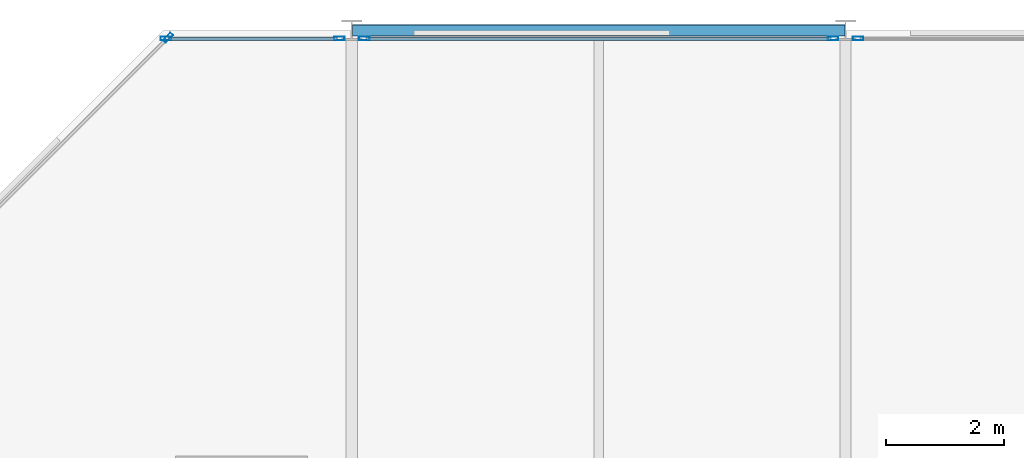
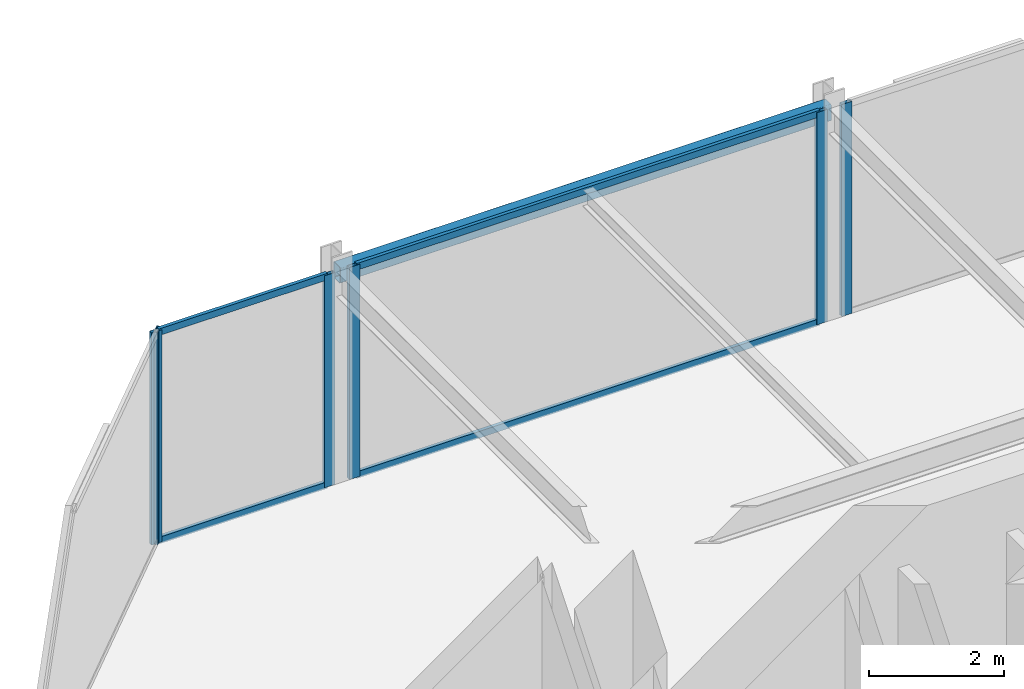
# One storey, part 20 of 29: 10 members, 1 beam, 4 elements without a shape of their own.
"""IFC4 building model written with IfcOpenShell, lengths in metres."""

from ifc_helpers import new_model, si_unit, direction, frame, origin, origin_2d, place, context, subcontext, project, spatial, hollow_rectangle, extrude, material, layer, layer_set, material_profile, profile_set, type_object, element, aggregate, save


model = new_model("IFC4")

# Units and contexts
model_context = context("Model", 3, precision=1e-05, world=origin(), true_north=direction((0.0, 1.0)))
body_context = subcontext(model_context, "Body", "Model", "MODEL_VIEW")
ifc_project = project(units=[si_unit("LENGTHUNIT", "METRE"), si_unit("AREAUNIT", "SQUARE_METRE"), si_unit("VOLUMEUNIT", "CUBIC_METRE"), si_unit("PLANEANGLEUNIT", "RADIAN"), si_unit("MASSUNIT", "GRAM", prefix="KILO")], contexts=[model_context])

# Site, building, storey
site_placement = place(None, origin())
site = spatial("IfcSite", under=ifc_project, at=site_placement, CompositionType="ELEMENT")
building_placement = place(site_placement, origin())
building = spatial("IfcBuilding", under=site, at=building_placement, Name="Nerrivon Quay Data Exchange", CompositionType="ELEMENT")
storey_placement = place(building_placement, frame((0.0, 0.0, 212.39990234375)))
storey = spatial("IfcBuildingStorey", under=building, at=storey_placement, Name="L50", CompositionType="ELEMENT", Elevation=212.39990234375)

# Beam
ifc_material_1 = material(Name="Steel Grade C350L0 (350 MPa)", Category="steel")
ifc_material_profile_1 = material_profile(ifc_material_1, hollow_rectangle(XDim=0.199951171875, YDim=0.300048828125, WallThickness=0.012451171875, InnerFilletRadius=0.018798828125, OuterFilletRadius=0.03125, at=origin_2d()), Name="300x200x12.5RHS")
ifc_profile_set_1 = profile_set([ifc_material_profile_1], Name="Steel Grade C350L0 (350 MPa)")
beam_type = type_object("IfcBeamType", Name="BM-SP3-300x200RHS", PredefinedType="SPANDREL", material=ifc_profile_set_1)
beam_placement = place(storey_placement, frame((8.409912109375, 50.39990234375, 3.675048828125), z_axis=(1.0, 0.0, 0.0), x_axis=(0.0, 1.0, 0.0)))
element("IfcBeam", 1, at=beam_placement, inside=storey, type_object=beam_type, Name="L50 EW Girder Y=50.4 (8.4..16.8)", PredefinedType="SPANDREL", context=body_context, shape_type="SweptSolid", body=[
    extrude(hollow_rectangle(XDim=0.199951171875, YDim=0.300048828125, WallThickness=0.012451171875, InnerFilletRadius=0.018798828125, OuterFilletRadius=0.03125, at=origin_2d()), origin(), (0.0, 0.0, 1.0), 8.380126953125),
])

# Curtain wall, member
ifc_material_2 = material(Name="Anodised aluminium 6063-T6", Category="aluminium")
ifc_layer = layer(ifc_material_2, 0.195068359375)
ifc_layer_set = layer_set([ifc_layer], Name="Anodised aluminium 6063-T6")
curtain_wall_type = type_object("IfcCurtainWallType", Name="CW-SYS-06", PredefinedType="NOTDEFINED", material=ifc_layer_set)
curtain_wall_1_placement = place(storey_placement, origin())
curtain_wall_1 = element("IfcCurtainWall", 2, at=curtain_wall_1_placement, inside=storey, type_object=curtain_wall_type, Name="L50 Unitised Curtain Wall 7", PredefinedType="NOTDEFINED")
ifc_material_profile_2 = material_profile(ifc_material_2, hollow_rectangle(XDim=0.06494140625, YDim=0.179931640625, WallThickness=0.00341796875, at=origin_2d()), Name="ALU-MULL-180x65")
ifc_profile_set_2 = profile_set([ifc_material_profile_2], Name="Anodised aluminium 6063-T6")
member_type_1 = type_object("IfcMemberType", Name="CWM-180x65", PredefinedType="MULLION", material=ifc_profile_set_2)
member_1_placement = place(storey_placement, frame((5.2724609375, 50.2744140625, 0.0), z_axis=(0.0, 0.0, 1.0), x_axis=(-0.707106781187, 0.707106781187, 0.0)))
member_1 = element("IfcMember", 3, at=member_1_placement, type_object=member_type_1, Name="CW06 mullion 2", PredefinedType="MULLION", context=body_context, shape_type="SweptSolid", body=[
    extrude(hollow_rectangle(XDim=0.06494140625, YDim=0.179931640625, WallThickness=0.00341796875, at=origin_2d()), origin(), (0.0, 0.0, 1.0), 3.8251953125),
])
aggregate(curtain_wall_1, [member_1])

# Curtain wall, members
curtain_wall_2_placement = place(storey_placement, origin())
curtain_wall_2 = element("IfcCurtainWall", 4, at=curtain_wall_2_placement, inside=storey, type_object=curtain_wall_type, Name="L50 Unitised Curtain Wall 8", PredefinedType="NOTDEFINED")
member_2_placement = place(storey_placement, frame((5.237548828125, 50.260009765625, 0.0), z_axis=(0.0, 0.0, 1.0), x_axis=(0.0, 1.0, 0.0)))
member_2 = element("IfcMember", 5, at=member_2_placement, type_object=member_type_1, Name="CW06 mullion 1", PredefinedType="MULLION", context=body_context, shape_type="SweptSolid", body=[
    extrude(hollow_rectangle(XDim=0.06494140625, YDim=0.179931640625, WallThickness=0.00341796875, at=origin_2d()), origin(), (0.0, 0.0, 1.0), 3.8251953125),
])
member_3_placement = place(storey_placement, frame((8.1875, 50.260009765625, 0.0), z_axis=(0.0, 0.0, 1.0), x_axis=(0.0, 1.0, 0.0)))
member_3 = element("IfcMember", 6, at=member_3_placement, type_object=member_type_1, Name="CW06 mullion 2", PredefinedType="MULLION", context=body_context, shape_type="SweptSolid", body=[
    extrude(hollow_rectangle(XDim=0.06494140625, YDim=0.179931640625, WallThickness=0.00341796875, at=origin_2d()), origin(), (0.0, 0.0, 1.0), 3.8251953125),
])

curtain_wall_3_placement = place(storey_placement, origin())
curtain_wall_3 = element("IfcCurtainWall", 7, at=curtain_wall_3_placement, inside=storey, type_object=curtain_wall_type, Name="L50 Unitised Curtain Wall 9", PredefinedType="NOTDEFINED")
member_4_placement = place(storey_placement, frame((8.612548828125, 50.260009765625, 0.0), z_axis=(0.0, 0.0, 1.0), x_axis=(0.0, 1.0, 0.0)))
member_4 = element("IfcMember", 8, at=member_4_placement, type_object=member_type_1, Name="CW06 mullion 1", PredefinedType="MULLION", context=body_context, shape_type="SweptSolid", body=[
    extrude(hollow_rectangle(XDim=0.06494140625, YDim=0.179931640625, WallThickness=0.00341796875, at=origin_2d()), origin(), (0.0, 0.0, 1.0), 3.8251953125),
])
member_5_placement = place(storey_placement, frame((16.58740234375, 50.260009765625, 0.0), z_axis=(0.0, 0.0, 1.0), x_axis=(0.0, 1.0, 0.0)))
member_5 = element("IfcMember", 9, at=member_5_placement, type_object=member_type_1, Name="CW06 mullion 2", PredefinedType="MULLION", context=body_context, shape_type="SweptSolid", body=[
    extrude(hollow_rectangle(XDim=0.06494140625, YDim=0.179931640625, WallThickness=0.00341796875, at=origin_2d()), origin(), (0.0, 0.0, 1.0), 3.8251953125),
])

# Curtain wall, member
curtain_wall_4_placement = place(storey_placement, origin())
curtain_wall_4 = element("IfcCurtainWall", 10, at=curtain_wall_4_placement, inside=storey, type_object=curtain_wall_type, Name="L50 Unitised Curtain Wall 10", PredefinedType="NOTDEFINED")
member_6_placement = place(storey_placement, frame((17.012451171875, 50.260009765625, 0.0), z_axis=(0.0, 0.0, 1.0), x_axis=(0.0, 1.0, 0.0)))
member_6 = element("IfcMember", 11, at=member_6_placement, type_object=member_type_1, Name="CW06 mullion 1", PredefinedType="MULLION", context=body_context, shape_type="SweptSolid", body=[
    extrude(hollow_rectangle(XDim=0.06494140625, YDim=0.179931640625, WallThickness=0.00341796875, at=origin_2d()), origin(), (0.0, 0.0, 1.0), 3.8251953125),
])
aggregate(curtain_wall_4, [member_6])

# Member
ifc_material_profile_3 = material_profile(ifc_material_2, hollow_rectangle(XDim=0.06005859375, YDim=0.1201171875, WallThickness=0.003173828125, at=origin_2d()), Name="ALU-TRAN-120x60")
ifc_profile_set_3 = profile_set([ifc_material_profile_3], Name="Anodised aluminium 6063-T6")
member_type_2 = type_object("IfcMemberType", Name="CWT-120x60", PredefinedType="USERDEFINED", material=ifc_profile_set_3)
member_7_placement = place(storey_placement, frame((5.27490234375, 50.260009765625, 0.03271484375), z_axis=(1.0, 0.0, 0.0), x_axis=(0.0, 1.0, 0.0)))
member_7 = element("IfcMember", 12, at=member_7_placement, type_object=member_type_2, Name="CW06 transom 1.1", ObjectType="TRANSOM", PredefinedType="USERDEFINED", context=body_context, shape_type="SweptSolid", body=[
    extrude(hollow_rectangle(XDim=0.06005859375, YDim=0.1201171875, WallThickness=0.003173828125, at=origin_2d()), origin(), (0.0, 0.0, 1.0), 2.875),
])

member_8_placement = place(storey_placement, frame((5.27490234375, 50.260009765625, 3.79248046875), z_axis=(1.0, 0.0, 0.0), x_axis=(0.0, 1.0, 0.0)))
member_8 = element("IfcMember", 13, at=member_8_placement, type_object=member_type_2, Name="CW06 transom 1.2", ObjectType="TRANSOM", PredefinedType="USERDEFINED", context=body_context, shape_type="SweptSolid", body=[
    extrude(hollow_rectangle(XDim=0.06005859375, YDim=0.1201171875, WallThickness=0.003173828125, at=origin_2d()), origin(), (0.0, 0.0, 1.0), 2.875),
])

aggregate(curtain_wall_2, [member_2, member_3, member_7, member_8])

member_9_placement = place(storey_placement, frame((8.64990234375, 50.260009765625, 0.03271484375), z_axis=(1.0, 0.0, 0.0), x_axis=(0.0, 1.0, 0.0)))
member_9 = element("IfcMember", 14, at=member_9_placement, type_object=member_type_2, Name="CW06 transom 1.1", ObjectType="TRANSOM", PredefinedType="USERDEFINED", context=body_context, shape_type="SweptSolid", body=[
    extrude(hollow_rectangle(XDim=0.06005859375, YDim=0.1201171875, WallThickness=0.003173828125, at=origin_2d()), origin(), (0.0, 0.0, 1.0), 7.900146484375),
])

member_10_placement = place(storey_placement, frame((8.64990234375, 50.260009765625, 3.79248046875), z_axis=(1.0, 0.0, 0.0), x_axis=(0.0, 1.0, 0.0)))
member_10 = element("IfcMember", 15, at=member_10_placement, type_object=member_type_2, Name="CW06 transom 1.2", ObjectType="TRANSOM", PredefinedType="USERDEFINED", context=body_context, shape_type="SweptSolid", body=[
    extrude(hollow_rectangle(XDim=0.06005859375, YDim=0.1201171875, WallThickness=0.003173828125, at=origin_2d()), origin(), (0.0, 0.0, 1.0), 7.900146484375),
])

aggregate(curtain_wall_3, [member_4, member_5, member_9, member_10])

save(model, "model.ifc")
